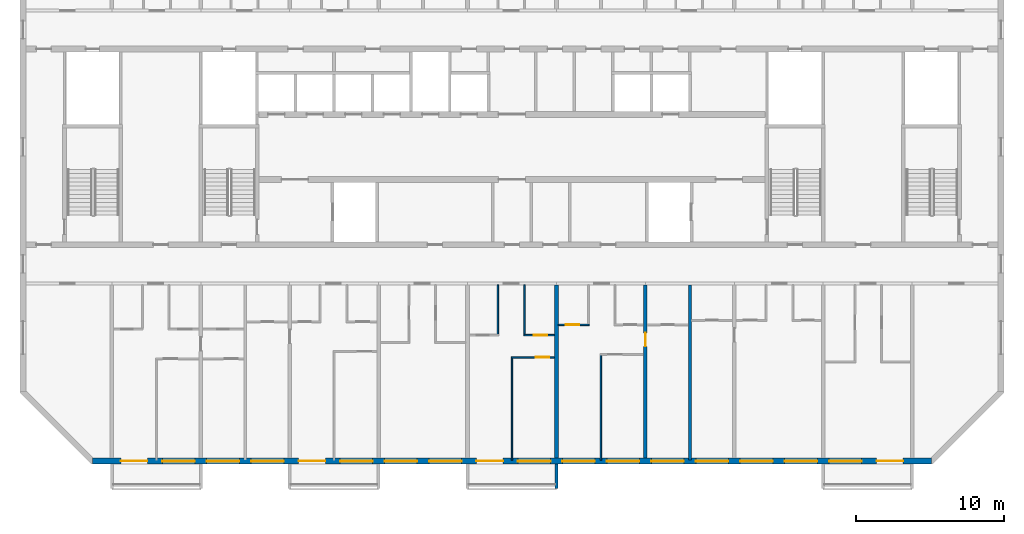
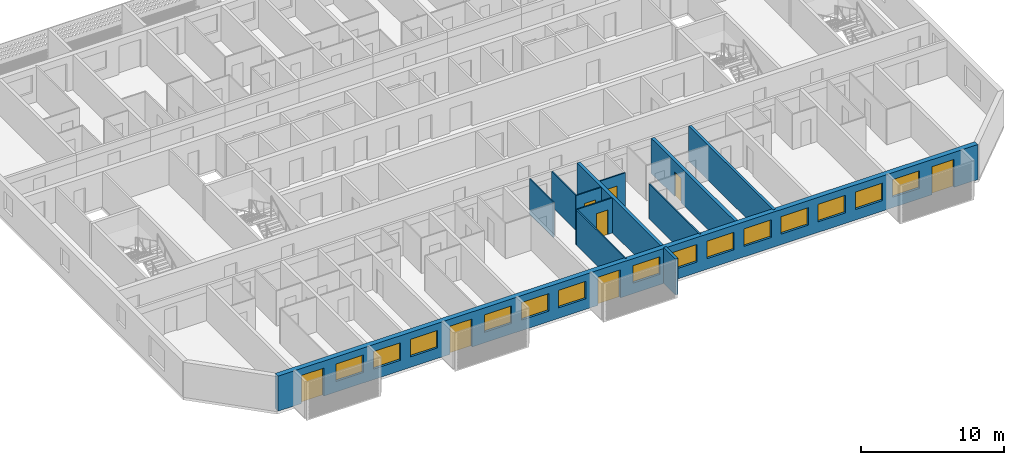
# One storey, part 4 of 27: 14 windows, 12 walls, 8 doors, 22 openings.
"""IFC4 building model written with IfcOpenShell, lengths in metres."""

import ifcopenshell
import ifcopenshell.guid

model = None  # the IFC model being written
_history = None  # IfcOwnerHistory: only IFC2X3 demands one
_inside = {}  # id of a spatial element -> (the spatial element, [elements in it])
_under = {}  # id of a project, library or spatial element -> (it, [spatial elements below it])
_declared = {}  # id of a project -> (the project, [libraries it declares])
_typed = {}  # id of a type object -> (the type object, [elements of that type])
_made_of = {}  # id of a material, layer set ... -> (it, [elements and type objects made of it])


def new_model(schema):
    """Start an empty IFC model of exactly this schema.

    Asked for "IFC4X3", IfcOpenShell would pick the latest addendum, in which some entities
    have other attributes; the version numbers below select the first issue.
    IFC2X3 requires an IfcOwnerHistory on every rooted entity: one is made here for all.
    """
    global model, _history
    if schema == "IFC4X3":
        model = ifcopenshell.file(schema_version=(4, 3, 0, 0))
    else:
        model = ifcopenshell.file(schema=schema)
    _inside.clear()
    _under.clear()
    _declared.clear()
    _typed.clear()
    _made_of.clear()
    _history = None
    if model.schema == "IFC2X3":
        org = make("IfcOrganization", Name="unknown")
        user = make(
            "IfcPersonAndOrganization",
            ThePerson=make("IfcPerson", FamilyName="unknown"),
            TheOrganization=org,
        )
        app = make(
            "IfcApplication",
            ApplicationDeveloper=org,
            Version="unknown",
            ApplicationFullName="unknown",
            ApplicationIdentifier="unknown",
        )
        _history = make(
            "IfcOwnerHistory",
            OwningUser=user,
            OwningApplication=app,
            ChangeAction="ADDED",
            CreationDate=0,
        )
    return model


def make(cls, **values):
    """One entity of the class cls with the attributes given. An attribute that is None is left unset."""
    return model.create_entity(
        cls, **{name: value for name, value in values.items() if value is not None}
    )


def rooted(cls, **values):
    """An entity with a GlobalId (a new one), such as an element, a storey or a relation."""
    return make(cls, GlobalId=ifcopenshell.guid.new(), OwnerHistory=_history, **values)


def si_unit(unit_type, name, prefix=None):
    """IfcSIUnit, for example si_unit("LENGTHUNIT", "METRE", prefix="MILLI")."""
    return make("IfcSIUnit", UnitType=unit_type, Prefix=prefix, Name=name)


def assignment(units):
    """IfcUnitAssignment: the units of a project."""
    return None if units is None else make("IfcUnitAssignment", Units=units)


def point(xyz):
    """IfcCartesianPoint."""
    return None if xyz is None else make("IfcCartesianPoint", Coordinates=xyz)


def direction(xyz):
    """IfcDirection."""
    return None if xyz is None else make("IfcDirection", DirectionRatios=xyz)


def frame(location, z_axis=None, x_axis=None):
    """IfcAxis2Placement3D, a coordinate frame: its origin and axes. An axis left out is left unset."""
    return make(
        "IfcAxis2Placement3D",
        Location=point(location),
        Axis=direction(z_axis),
        RefDirection=direction(x_axis),
    )


def frame_2d(location, x_axis=None):
    """IfcAxis2Placement2D, a coordinate frame in the plane: its origin and x axis."""
    return make(
        "IfcAxis2Placement2D", Location=point(location), RefDirection=direction(x_axis)
    )


def origin():
    """The frame at (0, 0, 0) with its axes left unset."""
    return frame((0.0, 0.0, 0.0))


def place(relative_to, where):
    """IfcLocalPlacement: puts the frame where relative to a parent placement (None: the world)."""
    return make(
        "IfcLocalPlacement", PlacementRelTo=relative_to, RelativePlacement=where
    )


def context(
    kind, dimensions, precision=None, world=None, true_north=None, identifier=None
):
    """IfcGeometricRepresentationContext, for example the 3D "Model" context."""
    return make(
        "IfcGeometricRepresentationContext",
        ContextIdentifier=identifier,
        ContextType=kind,
        CoordinateSpaceDimension=dimensions,
        Precision=precision,
        WorldCoordinateSystem=world,
        TrueNorth=true_north,
    )


def subcontext(parent, identifier, kind, view, scale=None):
    """IfcGeometricRepresentationSubContext, for example "Body" below "Model"."""
    return make(
        "IfcGeometricRepresentationSubContext",
        ContextIdentifier=identifier,
        ContextType=kind,
        ParentContext=parent,
        TargetScale=scale,
        TargetView=view,
    )


def project(units=None, contexts=None):
    """IfcProject with its units and contexts."""
    return rooted(
        "IfcProject",
        Name="project",
        RepresentationContexts=contexts,
        UnitsInContext=assignment(units),
    )


def spatial(cls, under=None, at=None, **own):
    """A site, building, storey or space (cls), placed at a placement, below another one or the project."""
    s = rooted(cls, ObjectPlacement=at, **own)
    if under is not None:
        _under.setdefault(under.id(), (under, []))[1].append(s)
    return s


def polyline(points):
    """IfcPolyline through the points."""
    return make("IfcPolyline", Points=[point(p) for p in points])


def profile(cls, at=None, kind="AREA", **sizes):
    """A parametric profile (cls). Its sizes go by their IFC names, for example OverallWidth=200.0."""
    return make(cls, ProfileType=kind, Position=at, **sizes)


def rectangle(**sizes):
    """IfcRectangleProfileDef."""
    return profile("IfcRectangleProfileDef", **sizes)


def outline(outer, holes=None, kind="AREA"):
    """IfcArbitraryClosedProfileDef: a profile drawn as a closed curve; with holes, ...WithVoids."""
    if holes is None:
        return make("IfcArbitraryClosedProfileDef", ProfileType=kind, OuterCurve=outer)
    return make(
        "IfcArbitraryProfileDefWithVoids",
        ProfileType=kind,
        OuterCurve=outer,
        InnerCurves=holes,
    )


def extrude(swept, where, along, depth):
    """IfcExtrudedAreaSolid: the profile swept, set in the frame where, extruded along a direction by depth."""
    return make(
        "IfcExtrudedAreaSolid",
        SweptArea=swept,
        Position=where,
        ExtrudedDirection=direction(along),
        Depth=depth,
    )


def shape(context_of_items, identifier, shape_type, items):
    """IfcShapeRepresentation: the items that make up one representation, for example the "Body"."""
    return make(
        "IfcShapeRepresentation",
        ContextOfItems=context_of_items,
        RepresentationIdentifier=identifier,
        RepresentationType=shape_type,
        Items=items,
    )


def source(mapping_origin, context_of_items, identifier, shape_type, items):
    """IfcRepresentationMap: a shape defined once, which mapped items show again and again."""
    return make(
        "IfcRepresentationMap",
        MappingOrigin=mapping_origin,
        MappedRepresentation=shape(context_of_items, identifier, shape_type, items),
    )


def transform(
    local_origin,
    x_axis=None,
    y_axis=None,
    z_axis=None,
    scale=None,
    scale2=None,
    scale3=None,
    uniform=True,
):
    """IfcCartesianTransformationOperator3D, or its non-uniform kind. x_axis, y_axis, z_axis: its Axis1, 2, 3."""
    if uniform:
        return make(
            "IfcCartesianTransformationOperator3D",
            Axis1=direction(x_axis),
            Axis2=direction(y_axis),
            LocalOrigin=point(local_origin),
            Scale=scale,
            Axis3=direction(z_axis),
        )
    return make(
        "IfcCartesianTransformationOperator3DnonUniform",
        Axis1=direction(x_axis),
        Axis2=direction(y_axis),
        LocalOrigin=point(local_origin),
        Scale=scale,
        Axis3=direction(z_axis),
        Scale2=scale2,
        Scale3=scale3,
    )


def mapped(mapping_source, mapping_target):
    """IfcMappedItem: shows the shape of a source again, moved by a transform."""
    return make(
        "IfcMappedItem", MappingSource=mapping_source, MappingTarget=mapping_target
    )


def material(Name=None, Category=None):
    """IfcMaterial."""
    return make("IfcMaterial", Name=Name, Category=Category)


def layer(
    of_material, thickness, ventilated=None, Name=None, Category=None, Priority=None
):
    """IfcMaterialLayer: one layer of a wall or slab, of a material (None: an air gap)."""
    return make(
        "IfcMaterialLayer",
        Material=of_material,
        LayerThickness=thickness,
        IsVentilated=ventilated,
        Name=Name,
        Category=Category,
        Priority=Priority,
    )


def layer_set(layers, Name=None):
    """IfcMaterialLayerSet."""
    return make("IfcMaterialLayerSet", MaterialLayers=layers, LayerSetName=Name)


def made_of(thing, what):
    """Note that an element or type object is made of a material, layer set ...; save() writes the relation."""
    if what is not None:
        _made_of.setdefault(what.id(), (what, []))[1].append(thing)
    return thing


def type_object(cls, material=None, **own):
    """A type object (cls), such as IfcWallType, which elements share."""
    return made_of(rooted(cls, **own), material)


def element(
    cls,
    number,
    at=None,
    inside=None,
    cuts=None,
    type_object=None,
    material=None,
    context=None,
    identifier="Body",
    shape_type=None,
    held_by="IfcProductDefinitionShape",
    body=None,
    shapes=None,
    **own,
):
    """One element of the class cls, such as IfcWall. Its Tag is "e" and its number.

    at: its placement. inside: the storey or other place that contains it. cuts: it is an
    opening in that element (IfcRelVoidsElement). A single representation is given by context,
    identifier, shape_type and body (its items); several are given by shapes. held_by: the class
    of the entity that holds the representations. save() writes the other relations.
    """
    e = rooted(cls, Tag="e%d" % number, ObjectPlacement=at, **own)
    if body is not None:
        shapes = [shape(context, identifier, shape_type, body)]
    if shapes is not None:
        e.Representation = make(held_by, Representations=shapes)
    if inside is not None:
        _inside.setdefault(inside.id(), (inside, []))[1].append(e)
    if cuts is not None:
        rooted(
            "IfcRelVoidsElement", RelatingBuildingElement=cuts, RelatedOpeningElement=e
        )
    if type_object is not None:
        _typed.setdefault(type_object.id(), (type_object, []))[1].append(e)
    return made_of(e, material)


def fill(opening, filler):
    """IfcRelFillsElement: the door or window that sits in an opening."""
    return rooted(
        "IfcRelFillsElement",
        RelatingOpeningElement=opening,
        RelatedBuildingElement=filler,
    )


def aggregate(whole, parts):
    """IfcRelAggregates: a whole, such as a stair, and the parts it consists of."""
    return rooted("IfcRelAggregates", RelatingObject=whole, RelatedObjects=parts)


def save(model, path):
    """Write the relations noted so far, then the file.

    IfcRelAggregates (storeys below a building ...), IfcRelContainedInSpatialStructure (elements
    in a storey), IfcRelDefinesByType, IfcRelAssociatesMaterial and IfcRelDeclares: one each for
    every whole, place, type object, material and project.
    """
    for whole, parts in _under.values():
        aggregate(whole, parts)
    for where, things in _inside.values():
        rooted(
            "IfcRelContainedInSpatialStructure",
            RelatedElements=things,
            RelatingStructure=where,
        )
    for kind, things in _typed.values():
        rooted("IfcRelDefinesByType", RelatedObjects=things, RelatingType=kind)
    for what, things in _made_of.values():
        rooted("IfcRelAssociatesMaterial", RelatedObjects=things, RelatingMaterial=what)
    for by, libraries in _declared.values():
        rooted("IfcRelDeclares", RelatingContext=by, RelatedDefinitions=libraries)
    model.write(path)


model = new_model("IFC4")

# Units and contexts
model_context = context("Model", 3, precision=1e-05, world=origin(), true_north=direction((0.0, 1.0)))
body_context = subcontext(model_context, "Body", "Model", "MODEL_VIEW")
ifc_project = project(units=[si_unit("LENGTHUNIT", "METRE"), si_unit("AREAUNIT", "SQUARE_METRE"), si_unit("VOLUMEUNIT", "CUBIC_METRE"), si_unit("PLANEANGLEUNIT", "RADIAN"), si_unit("MASSUNIT", "GRAM", prefix="KILO")], contexts=[model_context])

# Site, building, storey
site_placement = place(None, origin())
site = spatial("IfcSite", under=ifc_project, at=site_placement, CompositionType="ELEMENT")
building_placement = place(site_placement, origin())
building = spatial("IfcBuilding", under=site, at=building_placement, Name="Poui Terraces", CompositionType="ELEMENT")
storey_placement = place(building_placement, frame((0.0, 0.0, 208.199951171875)))
storey = spatial("IfcBuildingStorey", under=building, at=storey_placement, Name="L58", CompositionType="ELEMENT", Elevation=208.199951171875)

# Wall
ifc_material_1 = material(Name="Concrete 50 MPa", Category="concrete")
ifc_layer_1 = layer(ifc_material_1, 0.25)
ifc_layer_set_1 = layer_set([ifc_layer_1], Name="Concrete 50 MPa")
wall_type_1 = type_object("IfcWallType", Name="CROSS WALL 250 50MPa", PredefinedType="SHEAR", material=ifc_layer_set_1)
wall_1_placement = place(storey_placement, frame((54.0, 0.199951171875, 0.0), z_axis=(0.0, 0.0, 1.0), x_axis=(0.0, 1.0, 0.0)))
element("IfcWall", 1, at=wall_1_placement, inside=storey, type_object=wall_type_1, Name="CROSS WALL LINE 10 SOUTH", PredefinedType="SHEAR", context=body_context, shape_type="SweptSolid", body=[
    extrude(rectangle(XDim=11.699951171875, YDim=0.25, at=frame_2d((5.85009765625, 0.0))), origin(), (0.0, 0.0, 1.0), 3.0),
])

# Wall, opening, door
wall_2_placement = place(storey_placement, frame((60.0, 0.199951171875, 0.0), z_axis=(0.0, 0.0, 1.0), x_axis=(0.0, 1.0, 0.0)))
wall_2 = element("IfcWall", 2, at=wall_2_placement, inside=storey, type_object=wall_type_1, Name="CROSS WALL LINE 11 SOUTH", PredefinedType="SHEAR", context=body_context, shape_type="SweptSolid", body=[
    extrude(rectangle(XDim=11.699951171875, YDim=0.25, at=frame_2d((5.85009765625, 0.0))), origin(), (0.0, 0.0, 1.0), 3.0),
])
opening_1_placement = place(wall_2_placement, frame((7.550048828125, 0.0, 0.0)))
opening_1 = element("IfcOpeningElement", 3, at=opening_1_placement, cuts=wall_2, Name="Opening D90", PredefinedType="OPENING", context=body_context, shape_type="SweptSolid", body=[
    extrude(rectangle(XDim=0.89990234375, YDim=2.10009765625, at=frame_2d((0.449951171875, 1.050048828125))), frame((0.0, 0.135009765625, 0.0), z_axis=(0.0, -1.0, 0.0), x_axis=(1.0, 0.0, 0.0)), (0.0, 0.0, 1.0), 0.27001953125),
])
ifc_material_2 = material(Name="Solid core timber door", Category="wood")
door_type_1 = type_object("IfcDoorType", Name="INTERNAL DOOR 900 X 2100", OperationType="NOTDEFINED", PredefinedType="DOOR", material=ifc_material_2)
door_1_placement = place(opening_1_placement, frame((0.89990234375, 0.0, 0.0), z_axis=(0.0, 0.0, 1.0), x_axis=(-1.0, 0.0, 0.0)))
door_1 = element("IfcDoor", 4, at=door_1_placement, inside=storey, type_object=door_type_1, Name="INTERNAL DOOR 092", OperationType="SINGLE_SWING_LEFT", OverallHeight=2.10009765625, OverallWidth=0.89990234375, PredefinedType="DOOR", context=body_context, shape_type="SweptSolid", body=[
    extrude(rectangle(XDim=0.89990234375, YDim=2.10009765625, at=frame_2d((0.449951171875, 1.050048828125))), frame((0.0, 0.02490234375, 0.0), z_axis=(0.0, -1.0, 0.0), x_axis=(1.0, 0.0, 0.0)), (0.0, 0.0, 1.0), 0.050048828125),
])
fill(opening_1, door_1)

# Wall, openings, doors, windows
ifc_material_3 = material(Name="Precast concrete 40 MPa", Category="concrete")
ifc_layer_2 = layer(ifc_material_3, 0.39990234375)
ifc_layer_set_2 = layer_set([ifc_layer_2], Name="Precast concrete 40 MPa")
wall_type_2 = type_object("IfcWallType", Name="EXTERNAL WALL 400", PredefinedType="STANDARD", material=ifc_layer_set_2)
wall_3_placement = place(storey_placement, frame((22.682861328125, 0.0, 0.0), z_axis=(0.0, 0.0, 1.0), x_axis=(1.0, 0.0, 0.0)))
wall_3 = element("IfcWall", 5, at=wall_3_placement, inside=storey, type_object=wall_type_2, Name="EXTERNAL WALL S", PredefinedType="STANDARD", context=body_context, shape_type="SweptSolid", body=[
    extrude(rectangle(XDim=56.63427734375, YDim=0.39990234375, at=frame_2d((28.317138671875, 0.0))), origin(), (0.0, 0.0, 1.0), 3.0),
])
opening_2_placement = place(wall_3_placement, frame((1.917236328125, 0.0, 0.0)))
opening_2 = element("IfcOpeningElement", 6, at=opening_2_placement, cuts=wall_3, Name="Opening BD1", PredefinedType="OPENING", context=body_context, shape_type="SweptSolid", body=[
    extrude(rectangle(XDim=1.800048828125, YDim=2.39990234375, at=frame_2d((0.89990234375, 1.199951171875))), frame((0.0, 0.2099609375, 0.0), z_axis=(0.0, -1.0, 0.0), x_axis=(1.0, 0.0, 0.0)), (0.0, 0.0, 1.0), 0.419921875),
])
opening_3_placement = place(wall_3_placement, frame((4.71728515625, 0.0, 0.89990234375)))
opening_3 = element("IfcOpeningElement", 7, at=opening_3_placement, cuts=wall_3, Name="Opening W1", PredefinedType="OPENING", context=body_context, shape_type="SweptSolid", body=[
    extrude(rectangle(XDim=2.199951171875, YDim=1.5, at=frame_2d((1.10009765625, 0.75))), frame((0.0, 0.2099609375, 0.0), z_axis=(0.0, -1.0, 0.0), x_axis=(1.0, 0.0, 0.0)), (0.0, 0.0, 1.0), 0.419921875),
])
opening_4_placement = place(wall_3_placement, frame((7.71728515625, 0.0, 0.89990234375)))
opening_4 = element("IfcOpeningElement", 8, at=opening_4_placement, cuts=wall_3, Name="Opening W1", PredefinedType="OPENING", context=body_context, shape_type="SweptSolid", body=[
    extrude(rectangle(XDim=2.199951171875, YDim=1.5, at=frame_2d((1.10009765625, 0.75))), frame((0.0, 0.2099609375, 0.0), z_axis=(0.0, -1.0, 0.0), x_axis=(1.0, 0.0, 0.0)), (0.0, 0.0, 1.0), 0.419921875),
])
opening_5_placement = place(wall_3_placement, frame((10.71728515625, 0.0, 0.89990234375)))
opening_5 = element("IfcOpeningElement", 9, at=opening_5_placement, cuts=wall_3, Name="Opening W1", PredefinedType="OPENING", context=body_context, shape_type="SweptSolid", body=[
    extrude(rectangle(XDim=2.199951171875, YDim=1.5, at=frame_2d((1.10009765625, 0.75))), frame((0.0, 0.2099609375, 0.0), z_axis=(0.0, -1.0, 0.0), x_axis=(1.0, 0.0, 0.0)), (0.0, 0.0, 1.0), 0.419921875),
])
opening_6_placement = place(wall_3_placement, frame((13.917236328125, 0.0, 0.0)))
opening_6 = element("IfcOpeningElement", 10, at=opening_6_placement, cuts=wall_3, Name="Opening BD1", PredefinedType="OPENING", context=body_context, shape_type="SweptSolid", body=[
    extrude(rectangle(XDim=1.800048828125, YDim=2.39990234375, at=frame_2d((0.89990234375, 1.199951171875))), frame((0.0, 0.2099609375, 0.0), z_axis=(0.0, -1.0, 0.0), x_axis=(1.0, 0.0, 0.0)), (0.0, 0.0, 1.0), 0.419921875),
])
opening_7_placement = place(wall_3_placement, frame((16.71728515625, 0.0, 0.89990234375)))
opening_7 = element("IfcOpeningElement", 11, at=opening_7_placement, cuts=wall_3, Name="Opening W1", PredefinedType="OPENING", context=body_context, shape_type="SweptSolid", body=[
    extrude(rectangle(XDim=2.199951171875, YDim=1.5, at=frame_2d((1.10009765625, 0.75))), frame((0.0, 0.2099609375, 0.0), z_axis=(0.0, -1.0, 0.0), x_axis=(1.0, 0.0, 0.0)), (0.0, 0.0, 1.0), 0.419921875),
])
opening_8_placement = place(wall_3_placement, frame((19.71728515625, 0.0, 0.89990234375)))
opening_8 = element("IfcOpeningElement", 12, at=opening_8_placement, cuts=wall_3, Name="Opening W1", PredefinedType="OPENING", context=body_context, shape_type="SweptSolid", body=[
    extrude(rectangle(XDim=2.199951171875, YDim=1.5, at=frame_2d((1.10009765625, 0.75))), frame((0.0, 0.2099609375, 0.0), z_axis=(0.0, -1.0, 0.0), x_axis=(1.0, 0.0, 0.0)), (0.0, 0.0, 1.0), 0.419921875),
])
opening_9_placement = place(wall_3_placement, frame((22.71728515625, 0.0, 0.89990234375)))
opening_9 = element("IfcOpeningElement", 13, at=opening_9_placement, cuts=wall_3, Name="Opening W1", PredefinedType="OPENING", context=body_context, shape_type="SweptSolid", body=[
    extrude(rectangle(XDim=2.199951171875, YDim=1.5, at=frame_2d((1.10009765625, 0.75))), frame((0.0, 0.2099609375, 0.0), z_axis=(0.0, -1.0, 0.0), x_axis=(1.0, 0.0, 0.0)), (0.0, 0.0, 1.0), 0.419921875),
])
opening_10_placement = place(wall_3_placement, frame((25.917236328125, 0.0, 0.0)))
opening_10 = element("IfcOpeningElement", 14, at=opening_10_placement, cuts=wall_3, Name="Opening BD1", PredefinedType="OPENING", context=body_context, shape_type="SweptSolid", body=[
    extrude(rectangle(XDim=1.800048828125, YDim=2.39990234375, at=frame_2d((0.89990234375, 1.199951171875))), frame((0.0, 0.2099609375, 0.0), z_axis=(0.0, -1.0, 0.0), x_axis=(1.0, 0.0, 0.0)), (0.0, 0.0, 1.0), 0.419921875),
])
opening_11_placement = place(wall_3_placement, frame((28.71728515625, 0.0, 0.89990234375)))
opening_11 = element("IfcOpeningElement", 15, at=opening_11_placement, cuts=wall_3, Name="Opening W1", PredefinedType="OPENING", context=body_context, shape_type="SweptSolid", body=[
    extrude(rectangle(XDim=2.199951171875, YDim=1.5, at=frame_2d((1.10009765625, 0.75))), frame((0.0, 0.2099609375, 0.0), z_axis=(0.0, -1.0, 0.0), x_axis=(1.0, 0.0, 0.0)), (0.0, 0.0, 1.0), 0.419921875),
])
opening_12_placement = place(wall_3_placement, frame((31.71728515625, 0.0, 0.89990234375)))
opening_12 = element("IfcOpeningElement", 16, at=opening_12_placement, cuts=wall_3, Name="Opening W1", PredefinedType="OPENING", context=body_context, shape_type="SweptSolid", body=[
    extrude(rectangle(XDim=2.199951171875, YDim=1.5, at=frame_2d((1.10009765625, 0.75))), frame((0.0, 0.2099609375, 0.0), z_axis=(0.0, -1.0, 0.0), x_axis=(1.0, 0.0, 0.0)), (0.0, 0.0, 1.0), 0.419921875),
])
opening_13_placement = place(wall_3_placement, frame((34.71728515625, 0.0, 0.89990234375)))
opening_13 = element("IfcOpeningElement", 17, at=opening_13_placement, cuts=wall_3, Name="Opening W1", PredefinedType="OPENING", context=body_context, shape_type="SweptSolid", body=[
    extrude(rectangle(XDim=2.199951171875, YDim=1.5, at=frame_2d((1.10009765625, 0.75))), frame((0.0, 0.2099609375, 0.0), z_axis=(0.0, -1.0, 0.0), x_axis=(1.0, 0.0, 0.0)), (0.0, 0.0, 1.0), 0.419921875),
])
opening_14_placement = place(wall_3_placement, frame((37.71728515625, 0.0, 0.89990234375)))
opening_14 = element("IfcOpeningElement", 18, at=opening_14_placement, cuts=wall_3, Name="Opening W1", PredefinedType="OPENING", context=body_context, shape_type="SweptSolid", body=[
    extrude(rectangle(XDim=2.199951171875, YDim=1.5, at=frame_2d((1.10009765625, 0.75))), frame((0.0, 0.2099609375, 0.0), z_axis=(0.0, -1.0, 0.0), x_axis=(1.0, 0.0, 0.0)), (0.0, 0.0, 1.0), 0.419921875),
])
opening_15_placement = place(wall_3_placement, frame((40.71728515625, 0.0, 0.89990234375)))
opening_15 = element("IfcOpeningElement", 19, at=opening_15_placement, cuts=wall_3, Name="Opening W1", PredefinedType="OPENING", context=body_context, shape_type="SweptSolid", body=[
    extrude(rectangle(XDim=2.199951171875, YDim=1.5, at=frame_2d((1.10009765625, 0.75))), frame((0.0, 0.2099609375, 0.0), z_axis=(0.0, -1.0, 0.0), x_axis=(1.0, 0.0, 0.0)), (0.0, 0.0, 1.0), 0.419921875),
])
opening_16_placement = place(wall_3_placement, frame((43.71728515625, 0.0, 0.89990234375)))
opening_16 = element("IfcOpeningElement", 20, at=opening_16_placement, cuts=wall_3, Name="Opening W1", PredefinedType="OPENING", context=body_context, shape_type="SweptSolid", body=[
    extrude(rectangle(XDim=2.199951171875, YDim=1.5, at=frame_2d((1.10009765625, 0.75))), frame((0.0, 0.2099609375, 0.0), z_axis=(0.0, -1.0, 0.0), x_axis=(1.0, 0.0, 0.0)), (0.0, 0.0, 1.0), 0.419921875),
])
opening_17_placement = place(wall_3_placement, frame((46.71728515625, 0.0, 0.89990234375)))
opening_17 = element("IfcOpeningElement", 21, at=opening_17_placement, cuts=wall_3, Name="Opening W1", PredefinedType="OPENING", context=body_context, shape_type="SweptSolid", body=[
    extrude(rectangle(XDim=2.199951171875, YDim=1.5, at=frame_2d((1.10009765625, 0.75))), frame((0.0, 0.2099609375, 0.0), z_axis=(0.0, -1.0, 0.0), x_axis=(1.0, 0.0, 0.0)), (0.0, 0.0, 1.0), 0.419921875),
])
opening_18_placement = place(wall_3_placement, frame((49.71728515625, 0.0, 0.89990234375)))
opening_18 = element("IfcOpeningElement", 22, at=opening_18_placement, cuts=wall_3, Name="Opening W1", PredefinedType="OPENING", context=body_context, shape_type="SweptSolid", body=[
    extrude(rectangle(XDim=2.199951171875, YDim=1.5, at=frame_2d((1.10009765625, 0.75))), frame((0.0, 0.2099609375, 0.0), z_axis=(0.0, -1.0, 0.0), x_axis=(1.0, 0.0, 0.0)), (0.0, 0.0, 1.0), 0.419921875),
])
opening_19_placement = place(wall_3_placement, frame((52.917236328125, 0.0, 0.0)))
opening_19 = element("IfcOpeningElement", 23, at=opening_19_placement, cuts=wall_3, Name="Opening BD1", PredefinedType="OPENING", context=body_context, shape_type="SweptSolid", body=[
    extrude(rectangle(XDim=1.800048828125, YDim=2.39990234375, at=frame_2d((0.89990234375, 1.199951171875))), frame((0.0, 0.2099609375, 0.0), z_axis=(0.0, -1.0, 0.0), x_axis=(1.0, 0.0, 0.0)), (0.0, 0.0, 1.0), 0.419921875),
])
ifc_material_4 = material(Name="Clear glass in aluminium frame", Category="aluminium")
door_type_2 = type_object("IfcDoorType", Name="BALCONY DOOR 1800X2400", OperationType="DOUBLE_DOOR_SLIDING", PredefinedType="DOOR", material=ifc_material_4)
door_2_placement = place(opening_2_placement, origin())
door_2 = element("IfcDoor", 24, at=door_2_placement, inside=storey, type_object=door_type_2, Name="BD1 BALCONY DOOR", OperationType="DOUBLE_DOOR_SLIDING", OverallHeight=2.39990234375, OverallWidth=1.800048828125, PredefinedType="DOOR", context=body_context, shape_type="SweptSolid", body=[
    extrude(rectangle(XDim=1.800048828125, YDim=2.39990234375, at=frame_2d((0.89990234375, 1.199951171875))), frame((0.0, 0.02490234375, 0.0), z_axis=(0.0, -1.0, 0.0), x_axis=(1.0, 0.0, 0.0)), (0.0, 0.0, 1.0), 0.050048828125),
])
fill(opening_2, door_2)
door_3_placement = place(opening_6_placement, origin())
door_3 = element("IfcDoor", 25, at=door_3_placement, inside=storey, type_object=door_type_2, Name="BD1 BALCONY DOOR", OperationType="DOUBLE_DOOR_SLIDING", OverallHeight=2.39990234375, OverallWidth=1.800048828125, PredefinedType="DOOR", context=body_context, shape_type="SweptSolid", body=[
    extrude(rectangle(XDim=1.800048828125, YDim=2.39990234375, at=frame_2d((0.89990234375, 1.199951171875))), frame((0.0, 0.02490234375, 0.0), z_axis=(0.0, -1.0, 0.0), x_axis=(1.0, 0.0, 0.0)), (0.0, 0.0, 1.0), 0.050048828125),
])
fill(opening_6, door_3)
door_4_placement = place(opening_10_placement, origin())
door_4 = element("IfcDoor", 26, at=door_4_placement, inside=storey, type_object=door_type_2, Name="BD1 BALCONY DOOR", OperationType="DOUBLE_DOOR_SLIDING", OverallHeight=2.39990234375, OverallWidth=1.800048828125, PredefinedType="DOOR", context=body_context, shape_type="SweptSolid", body=[
    extrude(rectangle(XDim=1.800048828125, YDim=2.39990234375, at=frame_2d((0.89990234375, 1.199951171875))), frame((0.0, 0.02490234375, 0.0), z_axis=(0.0, -1.0, 0.0), x_axis=(1.0, 0.0, 0.0)), (0.0, 0.0, 1.0), 0.050048828125),
])
fill(opening_10, door_4)
door_5_placement = place(opening_19_placement, origin())
door_5 = element("IfcDoor", 27, at=door_5_placement, inside=storey, type_object=door_type_2, Name="BD1 BALCONY DOOR", OperationType="DOUBLE_DOOR_SLIDING", OverallHeight=2.39990234375, OverallWidth=1.800048828125, PredefinedType="DOOR", context=body_context, shape_type="SweptSolid", body=[
    extrude(rectangle(XDim=1.800048828125, YDim=2.39990234375, at=frame_2d((0.89990234375, 1.199951171875))), frame((0.0, 0.02490234375, 0.0), z_axis=(0.0, -1.0, 0.0), x_axis=(1.0, 0.0, 0.0)), (0.0, 0.0, 1.0), 0.050048828125),
])
fill(opening_19, door_5)
window_type = type_object("IfcWindowType", Name="WINDOW 2200X1500", PartitioningType="DOUBLE_PANEL_HORIZONTAL", PredefinedType="WINDOW", material=ifc_material_4)
window_1_placement = place(opening_3_placement, origin())
window_1 = element("IfcWindow", 28, at=window_1_placement, inside=storey, type_object=window_type, Name="W1 WINDOW", OverallHeight=1.5, OverallWidth=2.199951171875, PartitioningType="DOUBLE_PANEL_HORIZONTAL", PredefinedType="WINDOW", context=body_context, shape_type="SweptSolid", body=[
    extrude(rectangle(XDim=2.199951171875, YDim=1.5, at=frame_2d((1.10009765625, 0.75))), frame((0.0, 0.030029296875, 0.0), z_axis=(0.0, -1.0, 0.0), x_axis=(1.0, 0.0, 0.0)), (0.0, 0.0, 1.0), 0.06005859375),
])
fill(opening_3, window_1)
window_2_placement = place(opening_4_placement, origin())
window_2 = element("IfcWindow", 29, at=window_2_placement, inside=storey, type_object=window_type, Name="W1 WINDOW", OverallHeight=1.5, OverallWidth=2.199951171875, PartitioningType="DOUBLE_PANEL_HORIZONTAL", PredefinedType="WINDOW", context=body_context, shape_type="SweptSolid", body=[
    extrude(rectangle(XDim=2.199951171875, YDim=1.5, at=frame_2d((1.10009765625, 0.75))), frame((0.0, 0.030029296875, 0.0), z_axis=(0.0, -1.0, 0.0), x_axis=(1.0, 0.0, 0.0)), (0.0, 0.0, 1.0), 0.06005859375),
])
fill(opening_4, window_2)
window_3_placement = place(opening_5_placement, origin())
window_3 = element("IfcWindow", 30, at=window_3_placement, inside=storey, type_object=window_type, Name="W1 WINDOW", OverallHeight=1.5, OverallWidth=2.199951171875, PartitioningType="DOUBLE_PANEL_HORIZONTAL", PredefinedType="WINDOW", context=body_context, shape_type="SweptSolid", body=[
    extrude(rectangle(XDim=2.199951171875, YDim=1.5, at=frame_2d((1.10009765625, 0.75))), frame((0.0, 0.030029296875, 0.0), z_axis=(0.0, -1.0, 0.0), x_axis=(1.0, 0.0, 0.0)), (0.0, 0.0, 1.0), 0.06005859375),
])
fill(opening_5, window_3)
window_4_placement = place(opening_7_placement, origin())
window_4 = element("IfcWindow", 31, at=window_4_placement, inside=storey, type_object=window_type, Name="W1 WINDOW", OverallHeight=1.5, OverallWidth=2.199951171875, PartitioningType="DOUBLE_PANEL_HORIZONTAL", PredefinedType="WINDOW", context=body_context, shape_type="SweptSolid", body=[
    extrude(rectangle(XDim=2.199951171875, YDim=1.5, at=frame_2d((1.10009765625, 0.75))), frame((0.0, 0.030029296875, 0.0), z_axis=(0.0, -1.0, 0.0), x_axis=(1.0, 0.0, 0.0)), (0.0, 0.0, 1.0), 0.06005859375),
])
fill(opening_7, window_4)
window_5_placement = place(opening_8_placement, origin())
window_5 = element("IfcWindow", 32, at=window_5_placement, inside=storey, type_object=window_type, Name="W1 WINDOW", OverallHeight=1.5, OverallWidth=2.199951171875, PartitioningType="DOUBLE_PANEL_HORIZONTAL", PredefinedType="WINDOW", context=body_context, shape_type="SweptSolid", body=[
    extrude(rectangle(XDim=2.199951171875, YDim=1.5, at=frame_2d((1.10009765625, 0.75))), frame((0.0, 0.030029296875, 0.0), z_axis=(0.0, -1.0, 0.0), x_axis=(1.0, 0.0, 0.0)), (0.0, 0.0, 1.0), 0.06005859375),
])
fill(opening_8, window_5)
window_6_placement = place(opening_9_placement, origin())
window_6 = element("IfcWindow", 33, at=window_6_placement, inside=storey, type_object=window_type, Name="W1 WINDOW", OverallHeight=1.5, OverallWidth=2.199951171875, PartitioningType="DOUBLE_PANEL_HORIZONTAL", PredefinedType="WINDOW", context=body_context, shape_type="SweptSolid", body=[
    extrude(rectangle(XDim=2.199951171875, YDim=1.5, at=frame_2d((1.10009765625, 0.75))), frame((0.0, 0.030029296875, 0.0), z_axis=(0.0, -1.0, 0.0), x_axis=(1.0, 0.0, 0.0)), (0.0, 0.0, 1.0), 0.06005859375),
])
fill(opening_9, window_6)
window_7_placement = place(opening_11_placement, origin())
window_7 = element("IfcWindow", 34, at=window_7_placement, inside=storey, type_object=window_type, Name="W1 WINDOW", OverallHeight=1.5, OverallWidth=2.199951171875, PartitioningType="DOUBLE_PANEL_HORIZONTAL", PredefinedType="WINDOW", context=body_context, shape_type="SweptSolid", body=[
    extrude(rectangle(XDim=2.199951171875, YDim=1.5, at=frame_2d((1.10009765625, 0.75))), frame((0.0, 0.030029296875, 0.0), z_axis=(0.0, -1.0, 0.0), x_axis=(1.0, 0.0, 0.0)), (0.0, 0.0, 1.0), 0.06005859375),
])
fill(opening_11, window_7)
window_8_placement = place(opening_12_placement, origin())
window_8 = element("IfcWindow", 35, at=window_8_placement, inside=storey, type_object=window_type, Name="W1 WINDOW", OverallHeight=1.5, OverallWidth=2.199951171875, PartitioningType="DOUBLE_PANEL_HORIZONTAL", PredefinedType="WINDOW", context=body_context, shape_type="SweptSolid", body=[
    extrude(rectangle(XDim=2.199951171875, YDim=1.5, at=frame_2d((1.10009765625, 0.75))), frame((0.0, 0.030029296875, 0.0), z_axis=(0.0, -1.0, 0.0), x_axis=(1.0, 0.0, 0.0)), (0.0, 0.0, 1.0), 0.06005859375),
])
fill(opening_12, window_8)
window_9_placement = place(opening_13_placement, origin())
window_9 = element("IfcWindow", 36, at=window_9_placement, inside=storey, type_object=window_type, Name="W1 WINDOW", OverallHeight=1.5, OverallWidth=2.199951171875, PartitioningType="DOUBLE_PANEL_HORIZONTAL", PredefinedType="WINDOW", context=body_context, shape_type="SweptSolid", body=[
    extrude(rectangle(XDim=2.199951171875, YDim=1.5, at=frame_2d((1.10009765625, 0.75))), frame((0.0, 0.030029296875, 0.0), z_axis=(0.0, -1.0, 0.0), x_axis=(1.0, 0.0, 0.0)), (0.0, 0.0, 1.0), 0.06005859375),
])
fill(opening_13, window_9)
window_10_placement = place(opening_14_placement, origin())
window_10 = element("IfcWindow", 37, at=window_10_placement, inside=storey, type_object=window_type, Name="W1 WINDOW", OverallHeight=1.5, OverallWidth=2.199951171875, PartitioningType="DOUBLE_PANEL_HORIZONTAL", PredefinedType="WINDOW", context=body_context, shape_type="SweptSolid", body=[
    extrude(rectangle(XDim=2.199951171875, YDim=1.5, at=frame_2d((1.10009765625, 0.75))), frame((0.0, 0.030029296875, 0.0), z_axis=(0.0, -1.0, 0.0), x_axis=(1.0, 0.0, 0.0)), (0.0, 0.0, 1.0), 0.06005859375),
])
fill(opening_14, window_10)
window_11_placement = place(opening_15_placement, origin())
window_11 = element("IfcWindow", 38, at=window_11_placement, inside=storey, type_object=window_type, Name="W1 WINDOW", OverallHeight=1.5, OverallWidth=2.199951171875, PartitioningType="DOUBLE_PANEL_HORIZONTAL", PredefinedType="WINDOW", context=body_context, shape_type="SweptSolid", body=[
    extrude(rectangle(XDim=2.199951171875, YDim=1.5, at=frame_2d((1.10009765625, 0.75))), frame((0.0, 0.030029296875, 0.0), z_axis=(0.0, -1.0, 0.0), x_axis=(1.0, 0.0, 0.0)), (0.0, 0.0, 1.0), 0.06005859375),
])
fill(opening_15, window_11)
window_12_placement = place(opening_16_placement, origin())
window_12 = element("IfcWindow", 39, at=window_12_placement, inside=storey, type_object=window_type, Name="W1 WINDOW", OverallHeight=1.5, OverallWidth=2.199951171875, PartitioningType="DOUBLE_PANEL_HORIZONTAL", PredefinedType="WINDOW", context=body_context, shape_type="SweptSolid", body=[
    extrude(rectangle(XDim=2.199951171875, YDim=1.5, at=frame_2d((1.10009765625, 0.75))), frame((0.0, 0.030029296875, 0.0), z_axis=(0.0, -1.0, 0.0), x_axis=(1.0, 0.0, 0.0)), (0.0, 0.0, 1.0), 0.06005859375),
])
fill(opening_16, window_12)
window_13_placement = place(opening_17_placement, origin())
window_13 = element("IfcWindow", 40, at=window_13_placement, inside=storey, type_object=window_type, Name="W1 WINDOW", OverallHeight=1.5, OverallWidth=2.199951171875, PartitioningType="DOUBLE_PANEL_HORIZONTAL", PredefinedType="WINDOW", context=body_context, shape_type="SweptSolid", body=[
    extrude(rectangle(XDim=2.199951171875, YDim=1.5, at=frame_2d((1.10009765625, 0.75))), frame((0.0, 0.030029296875, 0.0), z_axis=(0.0, -1.0, 0.0), x_axis=(1.0, 0.0, 0.0)), (0.0, 0.0, 1.0), 0.06005859375),
])
fill(opening_17, window_13)
window_14_placement = place(opening_18_placement, origin())
window_14 = element("IfcWindow", 41, at=window_14_placement, inside=storey, type_object=window_type, Name="W1 WINDOW", OverallHeight=1.5, OverallWidth=2.199951171875, PartitioningType="DOUBLE_PANEL_HORIZONTAL", PredefinedType="WINDOW", context=body_context, shape_type="SweptSolid", body=[
    extrude(rectangle(XDim=2.199951171875, YDim=1.5, at=frame_2d((1.10009765625, 0.75))), frame((0.0, 0.030029296875, 0.0), z_axis=(0.0, -1.0, 0.0), x_axis=(1.0, 0.0, 0.0)), (0.0, 0.0, 1.0), 0.06005859375),
])
fill(opening_18, window_14)

# Wall, opening, door
ifc_material_5 = material(Name="Plasterboard partition")
ifc_layer_3 = layer(ifc_material_5, 0.10009765625)
ifc_layer_set_3 = layer_set([ifc_layer_3], Name="Plasterboard partition")
wall_type_3 = type_object("IfcWallType", Name="FLAT PARTITION 100", PredefinedType="PARTITIONING", material=ifc_layer_set_3)
wall_4_placement = place(storey_placement, frame((50.949951171875, 7.0, 0.0), z_axis=(0.0, 0.0, 1.0), x_axis=(1.0, 0.0, 0.0)))
wall_4 = element("IfcWall", 42, at=wall_4_placement, inside=storey, type_object=wall_type_3, Name="FLAT PARTITION 100", PredefinedType="PARTITIONING", context=body_context, shape_type="SweptSolid", body=[
    extrude(rectangle(XDim=2.9150390625, YDim=0.10009765625, at=frame_2d((1.45751953125, 0.0))), origin(), (0.0, 0.0, 1.0), 3.0),
])
opening_20_placement = place(wall_4_placement, frame((1.64990234375, 0.0, 0.0)))
opening_20 = element("IfcOpeningElement", 43, at=opening_20_placement, cuts=wall_4, Name="Opening D90", PredefinedType="OPENING", context=body_context, shape_type="SweptSolid", body=[
    extrude(rectangle(XDim=0.89990234375, YDim=2.10009765625, at=frame_2d((0.449951171875, 1.050048828125))), frame((0.0, 0.06005859375, 0.0), z_axis=(0.0, -1.0, 0.0), x_axis=(1.0, 0.0, 0.0)), (0.0, 0.0, 1.0), 0.1201171875),
])
door_6_placement = place(opening_20_placement, origin())
door_6 = element("IfcDoor", 44, at=door_6_placement, inside=storey, type_object=door_type_1, Name="INTERNAL DOOR 086", OperationType="SINGLE_SWING_LEFT", OverallHeight=2.10009765625, OverallWidth=0.89990234375, PredefinedType="DOOR", context=body_context, shape_type="SweptSolid", body=[
    extrude(rectangle(XDim=0.89990234375, YDim=2.10009765625, at=frame_2d((0.449951171875, 1.050048828125))), frame((0.0, 0.02490234375, 0.0), z_axis=(0.0, -1.0, 0.0), x_axis=(1.0, 0.0, 0.0)), (0.0, 0.0, 1.0), 0.050048828125),
])
fill(opening_20, door_6)

wall_5_placement = place(storey_placement, frame((51.800048828125, 8.5, 0.0), z_axis=(0.0, 0.0, 1.0), x_axis=(1.0, 0.0, 0.0)))
wall_5 = element("IfcWall", 45, at=wall_5_placement, inside=storey, type_object=wall_type_3, Name="FLAT PARTITION 100", PredefinedType="PARTITIONING", context=body_context, shape_type="SweptSolid", body=[
    extrude(rectangle(XDim=2.06494140625, YDim=0.10009765625, at=frame_2d((1.032470703125, 0.0))), origin(), (0.0, 0.0, 1.0), 3.0),
])
opening_21_placement = place(wall_5_placement, frame((0.675048828125, 0.0, 0.0)))
opening_21 = element("IfcOpeningElement", 46, at=opening_21_placement, cuts=wall_5, Name="Opening D90", PredefinedType="OPENING", context=body_context, shape_type="SweptSolid", body=[
    extrude(rectangle(XDim=0.89990234375, YDim=2.10009765625, at=frame_2d((0.449951171875, 1.050048828125))), frame((0.0, 0.06005859375, 0.0), z_axis=(0.0, -1.0, 0.0), x_axis=(1.0, 0.0, 0.0)), (0.0, 0.0, 1.0), 0.1201171875),
])
door_7_placement = place(opening_21_placement, origin())
door_7 = element("IfcDoor", 47, at=door_7_placement, inside=storey, type_object=door_type_1, Name="INTERNAL DOOR 085", OperationType="SINGLE_SWING_RIGHT", OverallHeight=2.10009765625, OverallWidth=0.89990234375, PredefinedType="DOOR", context=body_context, shape_type="SweptSolid", body=[
    extrude(rectangle(XDim=0.89990234375, YDim=2.10009765625, at=frame_2d((0.449951171875, 1.050048828125))), frame((0.0, 0.02490234375, 0.0), z_axis=(0.0, -1.0, 0.0), x_axis=(1.0, 0.0, 0.0)), (0.0, 0.0, 1.0), 0.050048828125),
])
fill(opening_21, door_7)

wall_6_placement = place(storey_placement, frame((54.135009765625, 9.199951171875, 0.0), z_axis=(0.0, 0.0, 1.0), x_axis=(1.0, 0.0, 0.0)))
wall_6 = element("IfcWall", 48, at=wall_6_placement, inside=storey, type_object=wall_type_3, Name="FLAT PARTITION 100", PredefinedType="PARTITIONING", context=body_context, shape_type="SweptSolid", body=[
    extrude(rectangle(XDim=2.06494140625, YDim=0.10009765625, at=frame_2d((1.032470703125, 0.0))), origin(), (0.0, 0.0, 1.0), 3.0),
])
opening_22_placement = place(wall_6_placement, frame((0.489990234375, 0.0, 0.0)))
opening_22 = element("IfcOpeningElement", 49, at=opening_22_placement, cuts=wall_6, Name="Opening D90", PredefinedType="OPENING", context=body_context, shape_type="SweptSolid", body=[
    extrude(rectangle(XDim=0.89990234375, YDim=2.10009765625, at=frame_2d((0.449951171875, 1.050048828125))), frame((0.0, 0.06005859375, 0.0), z_axis=(0.0, -1.0, 0.0), x_axis=(1.0, 0.0, 0.0)), (0.0, 0.0, 1.0), 0.1201171875),
])
door_8_placement = place(opening_22_placement, origin())
door_8 = element("IfcDoor", 50, at=door_8_placement, inside=storey, type_object=door_type_1, Name="INTERNAL DOOR 088", OperationType="SINGLE_SWING_RIGHT", OverallHeight=2.10009765625, OverallWidth=0.89990234375, PredefinedType="DOOR", context=body_context, shape_type="SweptSolid", body=[
    extrude(rectangle(XDim=0.89990234375, YDim=2.10009765625, at=frame_2d((0.449951171875, 1.050048828125))), frame((0.0, 0.02490234375, 0.0), z_axis=(0.0, -1.0, 0.0), x_axis=(1.0, 0.0, 0.0)), (0.0, 0.0, 1.0), 0.050048828125),
])
fill(opening_22, door_8)

# Walls
wall_7_placement = place(storey_placement, frame((50.050048828125, 8.550048828125, 0.0), z_axis=(0.0, 0.0, 1.0), x_axis=(0.0, 1.0, 0.0)))
element("IfcWall", 51, at=wall_7_placement, inside=storey, type_object=wall_type_3, Name="FLAT PARTITION 100", PredefinedType="PARTITIONING", context=body_context, shape_type="SweptSolid", body=[
    extrude(rectangle(XDim=3.33984375, YDim=0.10009765625, at=frame_2d((1.669921875, 0.0))), origin(), (0.0, 0.0, 1.0), 3.0),
])
wall_8_placement = place(storey_placement, frame((51.0, 0.06005859375, 0.0), z_axis=(0.0, 0.0, 1.0), x_axis=(0.0, 1.0, 0.0)))
element("IfcWall", 52, at=wall_8_placement, inside=storey, type_object=wall_type_3, Name="FLAT PARTITION 100", PredefinedType="PARTITIONING", context=body_context, shape_type="SweptSolid", body=[
    extrude(rectangle(XDim=6.889892578125, YDim=0.10009765625, at=frame_2d((3.44482421875, 0.0))), origin(), (0.0, 0.0, 1.0), 3.0),
])
wall_9_placement = place(storey_placement, frame((51.85009765625, 8.550048828125, 0.0), z_axis=(0.0, 0.0, 1.0), x_axis=(0.0, 1.0, 0.0)))
element("IfcWall", 53, at=wall_9_placement, inside=storey, type_object=wall_type_3, Name="FLAT PARTITION 100", PredefinedType="PARTITIONING", context=body_context, shape_type="SweptSolid", body=[
    extrude(rectangle(XDim=3.33984375, YDim=0.10009765625, at=frame_2d((1.669921875, 0.0))), origin(), (0.0, 0.0, 1.0), 3.0),
])
wall_10_placement = place(storey_placement, frame((57.0, 0.06005859375, 0.0), z_axis=(0.0, 0.0, 1.0), x_axis=(0.0, 1.0, 0.0)))
element("IfcWall", 54, at=wall_10_placement, inside=storey, type_object=wall_type_3, Name="FLAT PARTITION 100", PredefinedType="PARTITIONING", context=body_context, shape_type="SweptSolid", body=[
    extrude(rectangle(XDim=7.08984375, YDim=0.10009765625, at=frame_2d((3.544921875, 0.0))), origin(), (0.0, 0.0, 1.0), 3.0),
])
ifc_material_6 = material(Name="Fire-rated masonry wall", Category="masonry")
ifc_layer_4 = layer(ifc_material_6, 0.199951171875)
ifc_layer_set_4 = layer_set([ifc_layer_4], Name="Fire-rated masonry wall")
wall_type_4 = type_object("IfcWallType", Name="FLAT PARTY WALL 200", PredefinedType="PARTITIONING", material=ifc_layer_set_4)
wall_11_placement = place(storey_placement, frame((63.0, 0.06005859375, 0.0), z_axis=(0.0, 0.0, 1.0), x_axis=(0.0, 1.0, 0.0)))
element("IfcWall", 55, at=wall_11_placement, inside=storey, type_object=wall_type_4, Name="FLAT PARTY WALL 200", PredefinedType="PARTITIONING", context=body_context, shape_type="SweptSolid", body=[
    extrude(rectangle(XDim=11.829833984375, YDim=0.199951171875, at=frame_2d((5.9150390625, 0.0))), origin(), (0.0, 0.0, 1.0), 3.0),
])
ifc_layer_5 = layer(ifc_material_3, 0.199951171875)
ifc_layer_set_5 = layer_set([ifc_layer_5], Name="Precast concrete 40 MPa")
wall_type_5 = type_object("IfcWallType", Name="REAR FIN 200", PredefinedType="STANDARD", material=ifc_layer_set_5)
shared_shape = source(origin(), body_context, "Body", "SweptSolid", [
    extrude(outline(polyline([(0.0, 0.0), (0.2001953125, 0.0), (0.2001953125, 1.650146484375), (0.0, 1.650146484375), (0.0, 0.0)])), origin(), (0.0, 0.0, 1.0), 3.10009765625),
])
wall_12_placement = place(storey_placement, frame((53.89990234375, -1.85009765625, 0.0)))
element("IfcWall", 56, at=wall_12_placement, inside=storey, type_object=wall_type_5, Name="REAR FIN", PredefinedType="STANDARD", context=body_context, shape_type="MappedRepresentation", body=[
    mapped(shared_shape, transform((0.0, 0.0, 0.0))),
])

save(model, "model.ifc")
